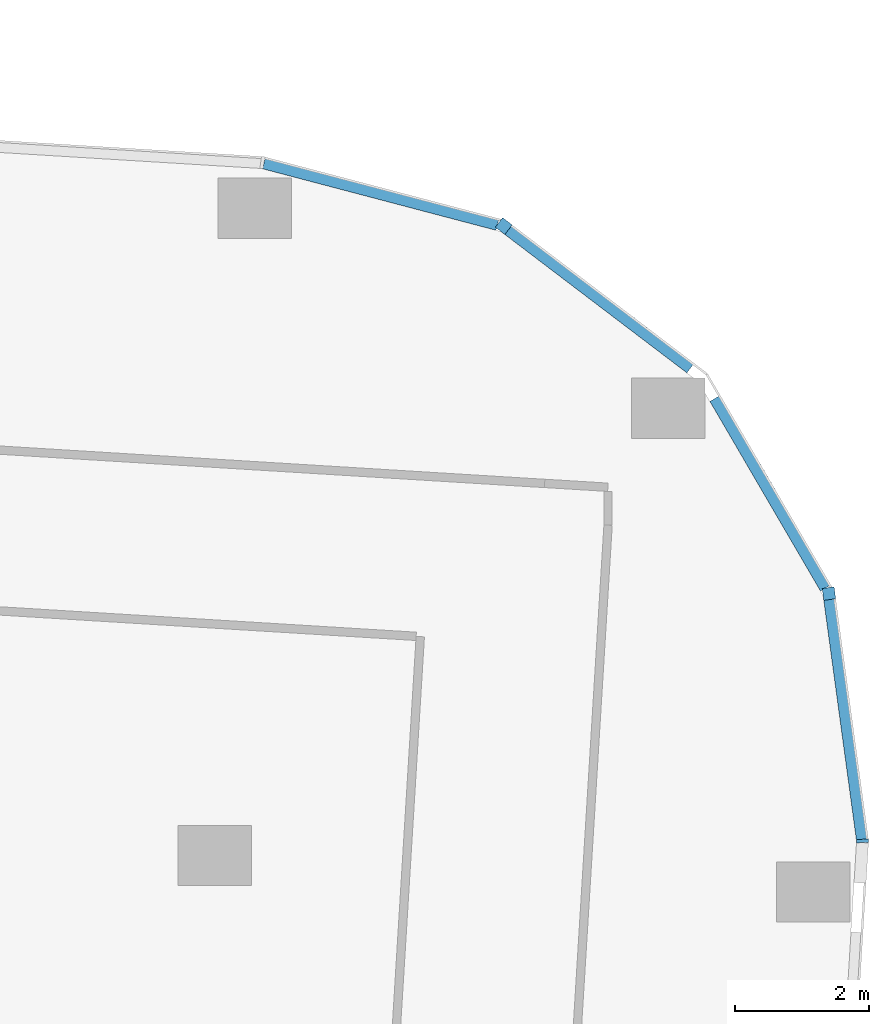
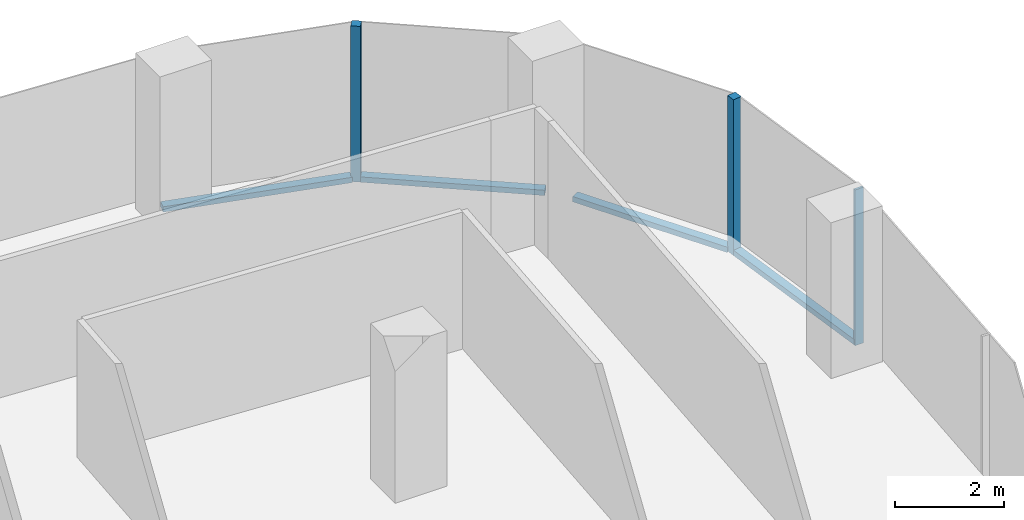
# One storey, part 15 of 32: 7 members, 5 elements without a shape of their own.
"""IFC4 building model written with IfcOpenShell, lengths in metres."""

import ifcopenshell
import ifcopenshell.guid

model = None  # the IFC model being written
_history = None  # IfcOwnerHistory: only IFC2X3 demands one
_inside = {}  # id of a spatial element -> (the spatial element, [elements in it])
_under = {}  # id of a project, library or spatial element -> (it, [spatial elements below it])
_declared = {}  # id of a project -> (the project, [libraries it declares])
_typed = {}  # id of a type object -> (the type object, [elements of that type])
_made_of = {}  # id of a material, layer set ... -> (it, [elements and type objects made of it])


def new_model(schema):
    """Start an empty IFC model of exactly this schema.

    Asked for "IFC4X3", IfcOpenShell would pick the latest addendum, in which some entities
    have other attributes; the version numbers below select the first issue.
    IFC2X3 requires an IfcOwnerHistory on every rooted entity: one is made here for all.
    """
    global model, _history
    if schema == "IFC4X3":
        model = ifcopenshell.file(schema_version=(4, 3, 0, 0))
    else:
        model = ifcopenshell.file(schema=schema)
    _inside.clear()
    _under.clear()
    _declared.clear()
    _typed.clear()
    _made_of.clear()
    _history = None
    if model.schema == "IFC2X3":
        org = make("IfcOrganization", Name="unknown")
        user = make(
            "IfcPersonAndOrganization",
            ThePerson=make("IfcPerson", FamilyName="unknown"),
            TheOrganization=org,
        )
        app = make(
            "IfcApplication",
            ApplicationDeveloper=org,
            Version="unknown",
            ApplicationFullName="unknown",
            ApplicationIdentifier="unknown",
        )
        _history = make(
            "IfcOwnerHistory",
            OwningUser=user,
            OwningApplication=app,
            ChangeAction="ADDED",
            CreationDate=0,
        )
    return model


def make(cls, **values):
    """One entity of the class cls with the attributes given. An attribute that is None is left unset."""
    return model.create_entity(
        cls, **{name: value for name, value in values.items() if value is not None}
    )


def rooted(cls, **values):
    """An entity with a GlobalId (a new one), such as an element, a storey or a relation."""
    return make(cls, GlobalId=ifcopenshell.guid.new(), OwnerHistory=_history, **values)


def si_unit(unit_type, name, prefix=None):
    """IfcSIUnit, for example si_unit("LENGTHUNIT", "METRE", prefix="MILLI")."""
    return make("IfcSIUnit", UnitType=unit_type, Prefix=prefix, Name=name)


def assignment(units):
    """IfcUnitAssignment: the units of a project."""
    return None if units is None else make("IfcUnitAssignment", Units=units)


def point(xyz):
    """IfcCartesianPoint."""
    return None if xyz is None else make("IfcCartesianPoint", Coordinates=xyz)


def direction(xyz):
    """IfcDirection."""
    return None if xyz is None else make("IfcDirection", DirectionRatios=xyz)


def frame(location, z_axis=None, x_axis=None):
    """IfcAxis2Placement3D, a coordinate frame: its origin and axes. An axis left out is left unset."""
    return make(
        "IfcAxis2Placement3D",
        Location=point(location),
        Axis=direction(z_axis),
        RefDirection=direction(x_axis),
    )


def frame_2d(location, x_axis=None):
    """IfcAxis2Placement2D, a coordinate frame in the plane: its origin and x axis."""
    return make(
        "IfcAxis2Placement2D", Location=point(location), RefDirection=direction(x_axis)
    )


def origin():
    """The frame at (0, 0, 0) with its axes left unset."""
    return frame((0.0, 0.0, 0.0))


def origin_2d():
    """The frame at (0, 0) in the plane with its x axis left unset."""
    return frame_2d((0.0, 0.0))


def place(relative_to, where):
    """IfcLocalPlacement: puts the frame where relative to a parent placement (None: the world)."""
    return make(
        "IfcLocalPlacement", PlacementRelTo=relative_to, RelativePlacement=where
    )


def context(
    kind, dimensions, precision=None, world=None, true_north=None, identifier=None
):
    """IfcGeometricRepresentationContext, for example the 3D "Model" context."""
    return make(
        "IfcGeometricRepresentationContext",
        ContextIdentifier=identifier,
        ContextType=kind,
        CoordinateSpaceDimension=dimensions,
        Precision=precision,
        WorldCoordinateSystem=world,
        TrueNorth=true_north,
    )


def subcontext(parent, identifier, kind, view, scale=None):
    """IfcGeometricRepresentationSubContext, for example "Body" below "Model"."""
    return make(
        "IfcGeometricRepresentationSubContext",
        ContextIdentifier=identifier,
        ContextType=kind,
        ParentContext=parent,
        TargetScale=scale,
        TargetView=view,
    )


def project(units=None, contexts=None):
    """IfcProject with its units and contexts."""
    return rooted(
        "IfcProject",
        Name="project",
        RepresentationContexts=contexts,
        UnitsInContext=assignment(units),
    )


def spatial(cls, under=None, at=None, **own):
    """A site, building, storey or space (cls), placed at a placement, below another one or the project."""
    s = rooted(cls, ObjectPlacement=at, **own)
    if under is not None:
        _under.setdefault(under.id(), (under, []))[1].append(s)
    return s


def profile(cls, at=None, kind="AREA", **sizes):
    """A parametric profile (cls). Its sizes go by their IFC names, for example OverallWidth=200.0."""
    return make(cls, ProfileType=kind, Position=at, **sizes)


def rectangle(**sizes):
    """IfcRectangleProfileDef."""
    return profile("IfcRectangleProfileDef", **sizes)


def extrude(swept, where, along, depth):
    """IfcExtrudedAreaSolid: the profile swept, set in the frame where, extruded along a direction by depth."""
    return make(
        "IfcExtrudedAreaSolid",
        SweptArea=swept,
        Position=where,
        ExtrudedDirection=direction(along),
        Depth=depth,
    )


def shape(context_of_items, identifier, shape_type, items):
    """IfcShapeRepresentation: the items that make up one representation, for example the "Body"."""
    return make(
        "IfcShapeRepresentation",
        ContextOfItems=context_of_items,
        RepresentationIdentifier=identifier,
        RepresentationType=shape_type,
        Items=items,
    )


def material(Name=None, Category=None):
    """IfcMaterial."""
    return make("IfcMaterial", Name=Name, Category=Category)


def material_profile(
    of_material, cross_section, Name=None, Category=None, Priority=None
):
    """IfcMaterialProfile: a cross section and its material."""
    return make(
        "IfcMaterialProfile",
        Name=Name,
        Material=of_material,
        Profile=cross_section,
        Priority=Priority,
        Category=Category,
    )


def profile_set(profiles, Name=None, composite=None):
    """IfcMaterialProfileSet."""
    return make(
        "IfcMaterialProfileSet",
        Name=Name,
        MaterialProfiles=profiles,
        CompositeProfile=composite,
    )


def made_of(thing, what):
    """Note that an element or type object is made of a material, layer set ...; save() writes the relation."""
    if what is not None:
        _made_of.setdefault(what.id(), (what, []))[1].append(thing)
    return thing


def type_object(cls, material=None, **own):
    """A type object (cls), such as IfcWallType, which elements share."""
    return made_of(rooted(cls, **own), material)


def element(
    cls,
    number,
    at=None,
    inside=None,
    cuts=None,
    type_object=None,
    material=None,
    context=None,
    identifier="Body",
    shape_type=None,
    held_by="IfcProductDefinitionShape",
    body=None,
    shapes=None,
    **own,
):
    """One element of the class cls, such as IfcWall. Its Tag is "e" and its number.

    at: its placement. inside: the storey or other place that contains it. cuts: it is an
    opening in that element (IfcRelVoidsElement). A single representation is given by context,
    identifier, shape_type and body (its items); several are given by shapes. held_by: the class
    of the entity that holds the representations. save() writes the other relations.
    """
    e = rooted(cls, Tag="e%d" % number, ObjectPlacement=at, **own)
    if body is not None:
        shapes = [shape(context, identifier, shape_type, body)]
    if shapes is not None:
        e.Representation = make(held_by, Representations=shapes)
    if inside is not None:
        _inside.setdefault(inside.id(), (inside, []))[1].append(e)
    if cuts is not None:
        rooted(
            "IfcRelVoidsElement", RelatingBuildingElement=cuts, RelatedOpeningElement=e
        )
    if type_object is not None:
        _typed.setdefault(type_object.id(), (type_object, []))[1].append(e)
    return made_of(e, material)


def aggregate(whole, parts):
    """IfcRelAggregates: a whole, such as a stair, and the parts it consists of."""
    return rooted("IfcRelAggregates", RelatingObject=whole, RelatedObjects=parts)


def save(model, path):
    """Write the relations noted so far, then the file.

    IfcRelAggregates (storeys below a building ...), IfcRelContainedInSpatialStructure (elements
    in a storey), IfcRelDefinesByType, IfcRelAssociatesMaterial and IfcRelDeclares: one each for
    every whole, place, type object, material and project.
    """
    for whole, parts in _under.values():
        aggregate(whole, parts)
    for where, things in _inside.values():
        rooted(
            "IfcRelContainedInSpatialStructure",
            RelatedElements=things,
            RelatingStructure=where,
        )
    for kind, things in _typed.values():
        rooted("IfcRelDefinesByType", RelatedObjects=things, RelatingType=kind)
    for what, things in _made_of.values():
        rooted("IfcRelAssociatesMaterial", RelatedObjects=things, RelatingMaterial=what)
    for by, libraries in _declared.values():
        rooted("IfcRelDeclares", RelatingContext=by, RelatedDefinitions=libraries)
    model.write(path)


model = new_model("IFC4")

# Units and contexts
model_context = context("Model", 3, precision=1e-05, world=origin(), true_north=direction((0.0, 1.0)))
body_context = subcontext(model_context, "Body", "Model", "MODEL_VIEW")
ifc_project = project(units=[si_unit("LENGTHUNIT", "METRE"), si_unit("AREAUNIT", "SQUARE_METRE"), si_unit("VOLUMEUNIT", "CUBIC_METRE"), si_unit("PLANEANGLEUNIT", "RADIAN"), si_unit("MASSUNIT", "GRAM", prefix="KILO")], contexts=[model_context])

# Site, building, storey
site_placement = place(None, origin())
site = spatial("IfcSite", under=ifc_project, at=site_placement, CompositionType="ELEMENT")
building_placement = place(site_placement, origin())
building = spatial("IfcBuilding", under=site, at=building_placement, Name="Orlundy Tower", CompositionType="ELEMENT")
storey_placement = place(building_placement, frame((0.0, 0.0, 152.60009765625)))
storey = spatial("IfcBuildingStorey", under=building, at=storey_placement, Name="L39", CompositionType="ELEMENT", Elevation=152.60009765625)

# Curtain wall, member
ifc_material_1 = material(Name="Aluminium bronze anodised", Category="aluminium")
curtain_wall_type = type_object("IfcCurtainWallType", Name="CW1 wall", PredefinedType="NOTDEFINED", material=ifc_material_1)
curtain_wall_1_placement = place(storey_placement, origin())
curtain_wall_1 = element("IfcCurtainWall", 1, at=curtain_wall_1_placement, inside=storey, type_object=curtain_wall_type, Name="CW1 run 020", PredefinedType="NOTDEFINED")
ifc_material_2 = material(Name="Aluminium bronze anodised", Category="aluminium")
ifc_material_profile_1 = material_profile(ifc_material_2, rectangle(XDim=0.179931640625, YDim=0.179931640625, at=origin_2d()), Name="CW1 corner post 180x180")
ifc_profile_set_1 = profile_set([ifc_material_profile_1], Name="Aluminium bronze anodised")
member_type_1 = type_object("IfcMemberType", Name="CW1 corner post 180x180", PredefinedType="MULLION", material=ifc_profile_set_1)
member_1_placement = place(storey_placement, frame((55.750244140625, 15.987548828125, -0.400146484375), z_axis=(0.0, 0.0, 1.0), x_axis=(0.605124308835, 0.796131001065, 0.0)))
member_1 = element("IfcMember", 2, at=member_1_placement, type_object=member_type_1, Name="CW1 mullion 58", PredefinedType="MULLION", context=body_context, shape_type="SweptSolid", body=[
    extrude(rectangle(XDim=0.179931640625, YDim=0.179931640625, at=origin_2d()), origin(), (0.0, 0.0, 1.0), 3.5),
])

curtain_wall_2_placement = place(storey_placement, origin())
curtain_wall_2 = element("IfcCurtainWall", 3, at=curtain_wall_2_placement, inside=storey, type_object=curtain_wall_type, Name="CW1 run 022", PredefinedType="NOTDEFINED")
member_2_placement = place(storey_placement, frame((60.61474609375, 10.489990234375, -0.400146484375), z_axis=(0.0, 0.0, 1.0), x_axis=(0.990861331967, 0.134884472094, 0.0)))
member_2 = element("IfcMember", 4, at=member_2_placement, type_object=member_type_1, Name="CW1 mullion 60", PredefinedType="MULLION", context=body_context, shape_type="SweptSolid", body=[
    extrude(rectangle(XDim=0.179931640625, YDim=0.179931640625, at=origin_2d()), origin(), (0.0, 0.0, 1.0), 3.5),
])

curtain_wall_3_placement = place(storey_placement, origin())
curtain_wall_3 = element("IfcCurtainWall", 5, at=curtain_wall_3_placement, inside=storey, type_object=curtain_wall_type, Name="CW1 run 023", PredefinedType="NOTDEFINED")
ifc_material_3 = material(Name="Aluminium bronze anodised", Category="aluminium")
ifc_material_profile_2 = material_profile(ifc_material_3, rectangle(XDim=0.179931640625, YDim=0.050048828125, at=origin_2d()), Name="CW1 mullion 50x180")
ifc_profile_set_2 = profile_set([ifc_material_profile_2], Name="Aluminium bronze anodised")
member_type_2 = type_object("IfcMemberType", Name="CW1 mullion 50x180", PredefinedType="MULLION", material=ifc_profile_set_2)
member_3_placement = place(storey_placement, frame((61.118408203125, 6.790283203125, -0.400146484375), z_axis=(0.0, 0.0, 1.0), x_axis=(0.999311655911, 0.037097363258, 0.0)))
member_3 = element("IfcMember", 6, at=member_3_placement, type_object=member_type_2, Name="CW1 mullion 61", PredefinedType="MULLION", context=body_context, shape_type="SweptSolid", body=[
    extrude(rectangle(XDim=0.179931640625, YDim=0.050048828125, at=origin_2d()), origin(), (0.0, 0.0, 1.0), 3.5),
])
aggregate(curtain_wall_3, [member_3])

curtain_wall_4_placement = place(storey_placement, origin())
curtain_wall_4 = element("IfcCurtainWall", 7, at=curtain_wall_4_placement, inside=storey, type_object=curtain_wall_type, Name="CW1 run 019", PredefinedType="NOTDEFINED")
ifc_material_4 = material(Name="Aluminium bronze anodised", Category="aluminium")
ifc_material_profile_3 = material_profile(ifc_material_4, rectangle(XDim=0.179931640625, YDim=0.1201171875, at=origin_2d()), Name="CW1 transom 180x120")
ifc_profile_set_3 = profile_set([ifc_material_profile_3], Name="Aluminium bronze anodised")
member_type_3 = type_object("IfcMemberType", Name="CW1 transom 180x120", PredefinedType="USERDEFINED", material=ifc_profile_set_3)
member_4_placement = place(storey_placement, frame((52.16455078125, 16.931884765625, -0.340087890625), z_axis=(0.96701495027, -0.254719622241, 0.0), x_axis=(0.254719622241, 0.96701495027, 0.0)))
member_4 = element("IfcMember", 8, at=member_4_placement, type_object=member_type_3, Name="CW1 transom", ObjectType="TRANSOM", PredefinedType="USERDEFINED", context=body_context, shape_type="SweptSolid", body=[
    extrude(rectangle(XDim=0.179931640625, YDim=0.1201171875, at=origin_2d()), origin(), (0.0, 0.0, 1.0), 3.610595703125),
])
aggregate(curtain_wall_4, [member_4])

# Member
member_5_placement = place(storey_placement, frame((55.82177734375, 15.93310546875, -0.340087890625), z_axis=(0.796127795516, -0.605128526188, 0.0), x_axis=(0.605128526188, 0.796127795516, 0.0)))
member_5 = element("IfcMember", 9, at=member_5_placement, type_object=member_type_3, Name="CW1 transom", ObjectType="TRANSOM", PredefinedType="USERDEFINED", context=body_context, shape_type="SweptSolid", body=[
    extrude(rectangle(XDim=0.179931640625, YDim=0.1201171875, at=origin_2d()), origin(), (0.0, 0.0, 1.0), 3.419189453125),
])

aggregate(curtain_wall_1, [member_1, member_5])

# Curtain wall, member
curtain_wall_5_placement = place(storey_placement, origin())
curtain_wall_5 = element("IfcCurtainWall", 10, at=curtain_wall_5_placement, inside=storey, type_object=curtain_wall_type, Name="CW1 run 021", PredefinedType="NOTDEFINED")
member_6_placement = place(storey_placement, frame((58.912109375, 13.41015625, -0.340087890625), z_axis=(0.503672192533, -0.863894856142, 0.0), x_axis=(0.863894856142, 0.503672192533, 0.0)))
member_6 = element("IfcMember", 11, at=member_6_placement, type_object=member_type_3, Name="CW1 transom", ObjectType="TRANSOM", PredefinedType="USERDEFINED", context=body_context, shape_type="SweptSolid", body=[
    extrude(rectangle(XDim=0.179931640625, YDim=0.1201171875, at=origin_2d()), origin(), (0.0, 0.0, 1.0), 3.282958984375),
])
aggregate(curtain_wall_5, [member_6])

# Member
member_7_placement = place(storey_placement, frame((60.626953125, 10.400634765625, -0.340087890625), z_axis=(0.134872334559, -0.990862984156, 0.0), x_axis=(0.990862984156, 0.134872334559, 0.0)))
member_7 = element("IfcMember", 12, at=member_7_placement, type_object=member_type_3, Name="CW1 transom", ObjectType="TRANSOM", PredefinedType="USERDEFINED", context=body_context, shape_type="SweptSolid", body=[
    extrude(rectangle(XDim=0.179931640625, YDim=0.1201171875, at=origin_2d()), origin(), (0.0, 0.0, 1.0), 3.618408203125),
])

aggregate(curtain_wall_2, [member_2, member_7])

save(model, "model.ifc")
